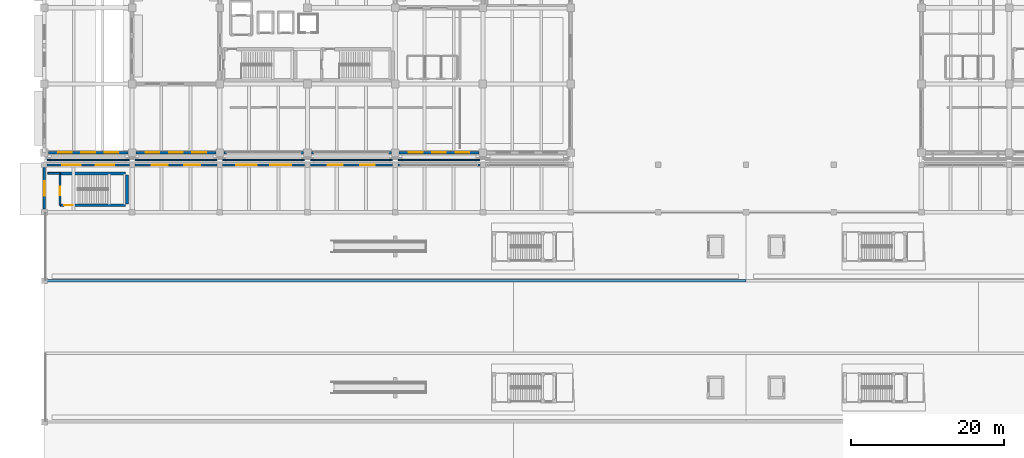
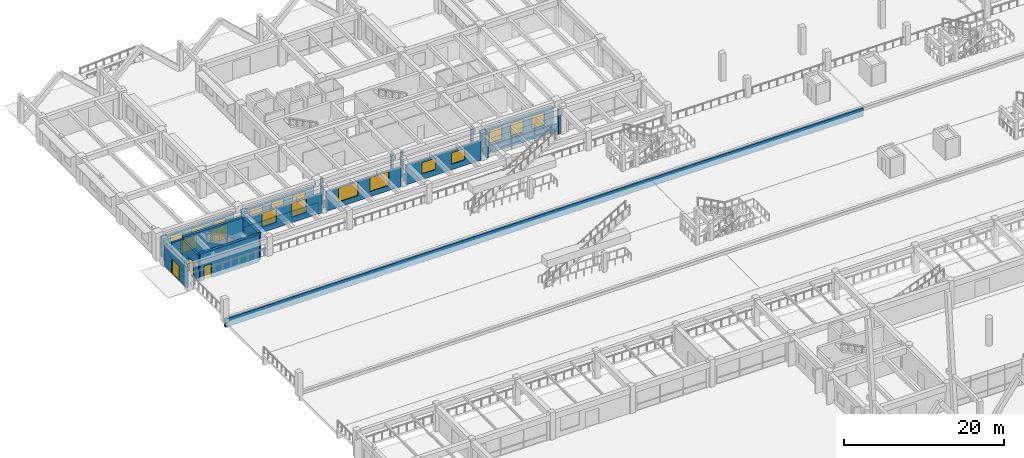
# One storey, part 81 of 109: 25 walls, 17 windows, 3 doors, 20 openings.
"""IFC4 building model written with IfcOpenShell, lengths in metres."""

from ifc_helpers import new_model, si_unit, direction, frame, frame_2d, origin, place, context, subcontext, project, spatial, rectangle, extrude, material, layer, layer_set, type_object, element, fill, save


model = new_model("IFC4")

# Units and contexts
model_context = context("Model", 3, precision=1e-05, world=origin(), true_north=direction((0.0, 1.0)))
body_context = subcontext(model_context, "Body", "Model", "MODEL_VIEW")
ifc_project = project(units=[si_unit("LENGTHUNIT", "METRE"), si_unit("AREAUNIT", "SQUARE_METRE"), si_unit("VOLUMEUNIT", "CUBIC_METRE"), si_unit("PLANEANGLEUNIT", "RADIAN"), si_unit("MASSUNIT", "GRAM", prefix="KILO")], contexts=[model_context])

# Site, building, storey
site_placement = place(None, origin())
site = spatial("IfcSite", under=ifc_project, at=site_placement, CompositionType="ELEMENT")
building_placement = place(site_placement, origin())
building = spatial("IfcBuilding", under=site, at=building_placement, Name="Ologun Quay Terminus", CompositionType="ELEMENT")
storey_placement = place(building_placement, origin())
storey = spatial("IfcBuildingStorey", under=building, at=storey_placement, Name="L00", CompositionType="ELEMENT", Elevation=0.0)

# Walls
ifc_material_1 = material(Name="Concrete C40/50", Category="concrete")
ifc_layer_1 = layer(ifc_material_1, 0.280029296875)
ifc_layer_set_1 = layer_set([ifc_layer_1], Name="Concrete C40/50")
wall_type_1 = type_object("IfcWallType", Name="Courtyard Wing Spandrel Concrete Wall 280", PredefinedType="SOLIDWALL", material=ifc_layer_set_1)
for number, where, z_axis, x_axis, name in (
    (1, (46.3701171875, 84.199951171875, 0.0), (0.0, 0.0, 1.0), (1.0, 0.0, 0.0), "Curtain Wall Jamb Pier CW-L00-084-J1"),
    (2, (56.780029296875, 84.199951171875, 0.0), (0.0, 0.0, 1.0), (1.0, 0.0, 0.0), "Curtain Wall Jamb Pier CW-L00-084-J2"),
):
    element("IfcWall", number, at=place(storey_placement, frame(where, z_axis=z_axis, x_axis=x_axis)), inside=storey, type_object=wall_type_1, Name=name, PredefinedType="SOLIDWALL", context=body_context, shape_type="SweptSolid", body=[
        extrude(rectangle(XDim=0.349853515625, YDim=0.280029296875, at=frame_2d((0.1748046875, 0.0))), origin(), (0.0, 0.0, 1.0), 3.85009765625),
    ])

# Wall, openings, windows
wall_1_placement = place(storey_placement, frame((0.3701171875, 84.199951171875, 0.0), z_axis=(0.0, 0.0, 1.0), x_axis=(1.0, 0.0, 0.0)))
wall_1 = element("IfcWall", 3, at=wall_1_placement, inside=storey, type_object=wall_type_1, Name="EW-02 Facade Wall WEW-NGW-L00-01", PredefinedType="SOLIDWALL", context=body_context, shape_type="SweptSolid", body=[
    extrude(rectangle(XDim=10.759765625, YDim=0.280029296875, at=frame_2d((5.3798828125, 0.0))), origin(), (0.0, 0.0, 1.0), 3.0),
])
opening_1_placement = place(wall_1_placement, frame((1.98681640625, 0.0, 0.840087890625)))
opening_1 = element("IfcOpeningElement", 4, at=opening_1_placement, cuts=wall_1, Name="Opening WN-108", PredefinedType="OPENING", context=body_context, shape_type="SweptSolid", body=[
    extrude(rectangle(XDim=2.39990234375, YDim=2.10009765625, at=frame_2d((1.199951171875, 1.050048828125))), frame((0.0, 0.14990234375, 0.0), z_axis=(0.0, -1.0, 0.0), x_axis=(1.0, 0.0, 0.0)), (0.0, 0.0, 1.0), 0.300048828125),
])
opening_2_placement = place(wall_1_placement, frame((6.373291015625, 0.0, 0.840087890625)))
opening_2 = element("IfcOpeningElement", 5, at=opening_2_placement, cuts=wall_1, Name="Opening WN-109", PredefinedType="OPENING", context=body_context, shape_type="SweptSolid", body=[
    extrude(rectangle(XDim=2.39990234375, YDim=2.10009765625, at=frame_2d((1.199951171875, 1.050048828125))), frame((0.0, 0.14990234375, 0.0), z_axis=(0.0, -1.0, 0.0), x_axis=(1.0, 0.0, 0.0)), (0.0, 0.0, 1.0), 0.300048828125),
])
ifc_material_2 = material(Name="Glass", Category="glass")
window_type_1 = type_object("IfcWindowType", Name="Retail Display Window 2400x2100", PartitioningType="SINGLE_PANEL", PredefinedType="WINDOW", material=ifc_material_2)
window_1_placement = place(opening_1_placement, origin())
window_1 = element("IfcWindow", 6, at=window_1_placement, inside=storey, type_object=window_type_1, Name="W-01 Window WN-108", OverallHeight=2.10009765625, OverallWidth=2.39990234375, PartitioningType="SINGLE_PANEL", PredefinedType="WINDOW", context=body_context, shape_type="SweptSolid", body=[
    extrude(rectangle(XDim=2.39990234375, YDim=2.10009765625, at=frame_2d((1.199951171875, 1.050048828125))), frame((0.0, 0.030029296875, 0.0), z_axis=(0.0, -1.0, 0.0), x_axis=(1.0, 0.0, 0.0)), (0.0, 0.0, 1.0), 0.06005859375),
])
fill(opening_1, window_1)
window_2_placement = place(opening_2_placement, origin())
window_2 = element("IfcWindow", 7, at=window_2_placement, inside=storey, type_object=window_type_1, Name="W-01 Window WN-109", OverallHeight=2.10009765625, OverallWidth=2.39990234375, PartitioningType="SINGLE_PANEL", PredefinedType="WINDOW", context=body_context, shape_type="SweptSolid", body=[
    extrude(rectangle(XDim=2.39990234375, YDim=2.10009765625, at=frame_2d((1.199951171875, 1.050048828125))), frame((0.0, 0.030029296875, 0.0), z_axis=(0.0, -1.0, 0.0), x_axis=(1.0, 0.0, 0.0)), (0.0, 0.0, 1.0), 0.06005859375),
])
fill(opening_2, window_2)

wall_2_placement = place(storey_placement, frame((11.8701171875, 84.199951171875, 0.0), z_axis=(0.0, 0.0, 1.0), x_axis=(1.0, 0.0, 0.0)))
wall_2 = element("IfcWall", 8, at=wall_2_placement, inside=storey, type_object=wall_type_1, Name="EW-02 Facade Wall WEW-NGW-L00-02", PredefinedType="SOLIDWALL", context=body_context, shape_type="SweptSolid", body=[
    extrude(rectangle(XDim=10.759765625, YDim=0.280029296875, at=frame_2d((5.3798828125, 0.0))), origin(), (0.0, 0.0, 1.0), 3.0),
])
opening_3_placement = place(wall_2_placement, frame((2.186767578125, 0.0, 0.840087890625)))
opening_3 = element("IfcOpeningElement", 9, at=opening_3_placement, cuts=wall_2, Name="Opening WN-110", PredefinedType="OPENING", context=body_context, shape_type="SweptSolid", body=[
    extrude(rectangle(XDim=2.10009765625, YDim=2.10009765625, at=frame_2d((1.050048828125, 1.050048828125))), frame((0.0, 0.14990234375, 0.0), z_axis=(0.0, -1.0, 0.0), x_axis=(1.0, 0.0, 0.0)), (0.0, 0.0, 1.0), 0.300048828125),
])
opening_4_placement = place(wall_2_placement, frame((6.473388671875, 0.0, 0.840087890625)))
opening_4 = element("IfcOpeningElement", 10, at=opening_4_placement, cuts=wall_2, Name="Opening WN-111", PredefinedType="OPENING", context=body_context, shape_type="SweptSolid", body=[
    extrude(rectangle(XDim=2.10009765625, YDim=2.10009765625, at=frame_2d((1.050048828125, 1.050048828125))), frame((0.0, 0.14990234375, 0.0), z_axis=(0.0, -1.0, 0.0), x_axis=(1.0, 0.0, 0.0)), (0.0, 0.0, 1.0), 0.300048828125),
])
ifc_material_3 = material(Name="Glass", Category="glass")
window_type_2 = type_object("IfcWindowType", Name="Retail Corner Window 2100x2100", PartitioningType="SINGLE_PANEL", PredefinedType="WINDOW", material=ifc_material_3)
window_3_placement = place(opening_3_placement, origin())
window_3 = element("IfcWindow", 11, at=window_3_placement, inside=storey, type_object=window_type_2, Name="W-02 Window WN-110", OverallHeight=2.10009765625, OverallWidth=2.10009765625, PartitioningType="SINGLE_PANEL", PredefinedType="WINDOW", context=body_context, shape_type="SweptSolid", body=[
    extrude(rectangle(XDim=2.10009765625, YDim=2.10009765625, at=frame_2d((1.050048828125, 1.050048828125))), frame((0.0, 0.030029296875, 0.0), z_axis=(0.0, -1.0, 0.0), x_axis=(1.0, 0.0, 0.0)), (0.0, 0.0, 1.0), 0.06005859375),
])
fill(opening_3, window_3)
window_4_placement = place(opening_4_placement, origin())
window_4 = element("IfcWindow", 12, at=window_4_placement, inside=storey, type_object=window_type_2, Name="W-02 Window WN-111", OverallHeight=2.10009765625, OverallWidth=2.10009765625, PartitioningType="SINGLE_PANEL", PredefinedType="WINDOW", context=body_context, shape_type="SweptSolid", body=[
    extrude(rectangle(XDim=2.10009765625, YDim=2.10009765625, at=frame_2d((1.050048828125, 1.050048828125))), frame((0.0, 0.030029296875, 0.0), z_axis=(0.0, -1.0, 0.0), x_axis=(1.0, 0.0, 0.0)), (0.0, 0.0, 1.0), 0.06005859375),
])
fill(opening_4, window_4)

wall_3_placement = place(storey_placement, frame((23.3701171875, 84.199951171875, 0.0), z_axis=(0.0, 0.0, 1.0), x_axis=(1.0, 0.0, 0.0)))
wall_3 = element("IfcWall", 13, at=wall_3_placement, inside=storey, type_object=wall_type_1, Name="EW-02 Facade Wall WEW-NGW-L00-03", PredefinedType="SOLIDWALL", context=body_context, shape_type="SweptSolid", body=[
    extrude(rectangle(XDim=10.759765625, YDim=0.280029296875, at=frame_2d((5.3798828125, 0.0))), origin(), (0.0, 0.0, 1.0), 3.0),
])
opening_5_placement = place(wall_3_placement, frame((1.75341796875, 0.0, 0.7900390625)))
opening_5 = element("IfcOpeningElement", 14, at=opening_5_placement, cuts=wall_3, Name="Opening WN-112", PredefinedType="OPENING", context=body_context, shape_type="SweptSolid", body=[
    extrude(rectangle(XDim=2.75, YDim=2.14990234375, at=frame_2d((1.375, 1.074951171875))), frame((0.0, 0.14990234375, 0.0), z_axis=(0.0, -1.0, 0.0), x_axis=(1.0, 0.0, 0.0)), (0.0, 0.0, 1.0), 0.300048828125),
])
opening_6_placement = place(wall_3_placement, frame((6.256591796875, 0.0, 0.7900390625)))
opening_6 = element("IfcOpeningElement", 15, at=opening_6_placement, cuts=wall_3, Name="Opening WN-113", PredefinedType="OPENING", context=body_context, shape_type="SweptSolid", body=[
    extrude(rectangle(XDim=2.75, YDim=2.14990234375, at=frame_2d((1.375, 1.074951171875))), frame((0.0, 0.14990234375, 0.0), z_axis=(0.0, -1.0, 0.0), x_axis=(1.0, 0.0, 0.0)), (0.0, 0.0, 1.0), 0.300048828125),
])
ifc_material_4 = material(Name="Glass", Category="glass")
window_type_3 = type_object("IfcWindowType", Name="Bookshop Showcase Window 2750x2150", PartitioningType="SINGLE_PANEL", PredefinedType="WINDOW", material=ifc_material_4)
window_5_placement = place(opening_5_placement, origin())
window_5 = element("IfcWindow", 16, at=window_5_placement, inside=storey, type_object=window_type_3, Name="W-33 Window WN-112", OverallHeight=2.14990234375, OverallWidth=2.75, PartitioningType="SINGLE_PANEL", PredefinedType="WINDOW", context=body_context, shape_type="SweptSolid", body=[
    extrude(rectangle(XDim=2.75, YDim=2.14990234375, at=frame_2d((1.375, 1.074951171875))), frame((0.0, 0.030029296875, 0.0), z_axis=(0.0, -1.0, 0.0), x_axis=(1.0, 0.0, 0.0)), (0.0, 0.0, 1.0), 0.06005859375),
])
fill(opening_5, window_5)
window_6_placement = place(opening_6_placement, origin())
window_6 = element("IfcWindow", 17, at=window_6_placement, inside=storey, type_object=window_type_3, Name="W-33 Window WN-113", OverallHeight=2.14990234375, OverallWidth=2.75, PartitioningType="SINGLE_PANEL", PredefinedType="WINDOW", context=body_context, shape_type="SweptSolid", body=[
    extrude(rectangle(XDim=2.75, YDim=2.14990234375, at=frame_2d((1.375, 1.074951171875))), frame((0.0, 0.030029296875, 0.0), z_axis=(0.0, -1.0, 0.0), x_axis=(1.0, 0.0, 0.0)), (0.0, 0.0, 1.0), 0.06005859375),
])
fill(opening_6, window_6)

wall_4_placement = place(storey_placement, frame((34.8701171875, 84.199951171875, 0.0), z_axis=(0.0, 0.0, 1.0), x_axis=(1.0, 0.0, 0.0)))
wall_4 = element("IfcWall", 18, at=wall_4_placement, inside=storey, type_object=wall_type_1, Name="EW-02 Facade Wall WEW-NGW-L00-04", PredefinedType="SOLIDWALL", context=body_context, shape_type="SweptSolid", body=[
    extrude(rectangle(XDim=10.759765625, YDim=0.280029296875, at=frame_2d((5.3798828125, 0.0))), origin(), (0.0, 0.0, 1.0), 3.0),
])
opening_7_placement = place(wall_4_placement, frame((2.28662109375, 0.0, 0.85009765625)))
opening_7 = element("IfcOpeningElement", 19, at=opening_7_placement, cuts=wall_4, Name="Opening WN-114", PredefinedType="OPENING", context=body_context, shape_type="SweptSolid", body=[
    extrude(rectangle(XDim=1.949951171875, YDim=1.75, at=frame_2d((0.97509765625, 0.875))), frame((0.0, 0.14990234375, 0.0), z_axis=(0.0, -1.0, 0.0), x_axis=(1.0, 0.0, 0.0)), (0.0, 0.0, 1.0), 0.300048828125),
])
opening_8_placement = place(wall_4_placement, frame((6.523193359375, 0.0, 0.85009765625)))
opening_8 = element("IfcOpeningElement", 20, at=opening_8_placement, cuts=wall_4, Name="Opening WN-115", PredefinedType="OPENING", context=body_context, shape_type="SweptSolid", body=[
    extrude(rectangle(XDim=1.949951171875, YDim=1.75, at=frame_2d((0.97509765625, 0.875))), frame((0.0, 0.14990234375, 0.0), z_axis=(0.0, -1.0, 0.0), x_axis=(1.0, 0.0, 0.0)), (0.0, 0.0, 1.0), 0.300048828125),
])
ifc_material_5 = material(Name="Glass", Category="glass")
window_type_4 = type_object("IfcWindowType", Name="Family Suite Daylight Window 1950x1750", PartitioningType="SINGLE_PANEL", PredefinedType="WINDOW", material=ifc_material_5)
window_7_placement = place(opening_7_placement, origin())
window_7 = element("IfcWindow", 21, at=window_7_placement, inside=storey, type_object=window_type_4, Name="W-35 Window WN-114", OverallHeight=1.75, OverallWidth=1.949951171875, PartitioningType="SINGLE_PANEL", PredefinedType="WINDOW", context=body_context, shape_type="SweptSolid", body=[
    extrude(rectangle(XDim=1.949951171875, YDim=1.75, at=frame_2d((0.97509765625, 0.875))), frame((0.0, 0.030029296875, 0.0), z_axis=(0.0, -1.0, 0.0), x_axis=(1.0, 0.0, 0.0)), (0.0, 0.0, 1.0), 0.06005859375),
])
fill(opening_7, window_7)
window_8_placement = place(opening_8_placement, origin())
window_8 = element("IfcWindow", 22, at=window_8_placement, inside=storey, type_object=window_type_4, Name="W-35 Window WN-115", OverallHeight=1.75, OverallWidth=1.949951171875, PartitioningType="SINGLE_PANEL", PredefinedType="WINDOW", context=body_context, shape_type="SweptSolid", body=[
    extrude(rectangle(XDim=1.949951171875, YDim=1.75, at=frame_2d((0.97509765625, 0.875))), frame((0.0, 0.030029296875, 0.0), z_axis=(0.0, -1.0, 0.0), x_axis=(1.0, 0.0, 0.0)), (0.0, 0.0, 1.0), 0.06005859375),
])
fill(opening_8, window_8)

wall_5_placement = place(storey_placement, frame((0.52001953125, 85.800048828125, 0.0), z_axis=(0.0, 0.0, 1.0), x_axis=(1.0, 0.0, 0.0)))
wall_5 = element("IfcWall", 23, at=wall_5_placement, inside=storey, type_object=wall_type_1, Name="EW-02 Facade Wall WEW-WW-O-L00-1", PredefinedType="SOLIDWALL", context=body_context, shape_type="SweptSolid", body=[
    extrude(rectangle(XDim=10.4599609375, YDim=0.280029296875, at=frame_2d((5.22998046875, 0.0))), origin(), (0.0, 0.0, 1.0), 3.14990234375),
])
opening_9_placement = place(wall_5_placement, frame((1.264892578125, 0.0, 0.85009765625)))
opening_9 = element("IfcOpeningElement", 24, at=opening_9_placement, cuts=wall_5, Name="Opening WN-154", PredefinedType="OPENING", context=body_context, shape_type="SweptSolid", body=[
    extrude(rectangle(XDim=1.800048828125, YDim=1.949951171875, at=frame_2d((0.89990234375, 0.97509765625))), frame((0.0, 0.14990234375, 0.0), z_axis=(0.0, -1.0, 0.0), x_axis=(1.0, 0.0, 0.0)), (0.0, 0.0, 1.0), 0.300048828125),
])
opening_10_placement = place(wall_5_placement, frame((4.330078125, 0.0, 0.85009765625)))
opening_10 = element("IfcOpeningElement", 25, at=opening_10_placement, cuts=wall_5, Name="Opening WN-155", PredefinedType="OPENING", context=body_context, shape_type="SweptSolid", body=[
    extrude(rectangle(XDim=1.800048828125, YDim=1.949951171875, at=frame_2d((0.89990234375, 0.97509765625))), frame((0.0, 0.14990234375, 0.0), z_axis=(0.0, -1.0, 0.0), x_axis=(1.0, 0.0, 0.0)), (0.0, 0.0, 1.0), 0.300048828125),
])
opening_11_placement = place(wall_5_placement, frame((7.39501953125, 0.0, 0.85009765625)))
opening_11 = element("IfcOpeningElement", 26, at=opening_11_placement, cuts=wall_5, Name="Opening WN-156", PredefinedType="OPENING", context=body_context, shape_type="SweptSolid", body=[
    extrude(rectangle(XDim=1.800048828125, YDim=1.949951171875, at=frame_2d((0.89990234375, 0.97509765625))), frame((0.0, 0.14990234375, 0.0), z_axis=(0.0, -1.0, 0.0), x_axis=(1.0, 0.0, 0.0)), (0.0, 0.0, 1.0), 0.300048828125),
])
ifc_material_6 = material(Name="Glass", Category="glass")
window_type_5 = type_object("IfcWindowType", Name="Waterfront Pavilion Module Window 1800x1950", PartitioningType="SINGLE_PANEL", PredefinedType="WINDOW", material=ifc_material_6)
window_9_placement = place(opening_9_placement, origin())
window_9 = element("IfcWindow", 27, at=window_9_placement, inside=storey, type_object=window_type_5, Name="W-11 Window WN-154", OverallHeight=1.949951171875, OverallWidth=1.800048828125, PartitioningType="SINGLE_PANEL", PredefinedType="WINDOW", context=body_context, shape_type="SweptSolid", body=[
    extrude(rectangle(XDim=1.800048828125, YDim=1.949951171875, at=frame_2d((0.89990234375, 0.97509765625))), frame((0.0, 0.030029296875, 0.0), z_axis=(0.0, -1.0, 0.0), x_axis=(1.0, 0.0, 0.0)), (0.0, 0.0, 1.0), 0.06005859375),
])
fill(opening_9, window_9)
window_10_placement = place(opening_10_placement, origin())
window_10 = element("IfcWindow", 28, at=window_10_placement, inside=storey, type_object=window_type_5, Name="W-11 Window WN-155", OverallHeight=1.949951171875, OverallWidth=1.800048828125, PartitioningType="SINGLE_PANEL", PredefinedType="WINDOW", context=body_context, shape_type="SweptSolid", body=[
    extrude(rectangle(XDim=1.800048828125, YDim=1.949951171875, at=frame_2d((0.89990234375, 0.97509765625))), frame((0.0, 0.030029296875, 0.0), z_axis=(0.0, -1.0, 0.0), x_axis=(1.0, 0.0, 0.0)), (0.0, 0.0, 1.0), 0.06005859375),
])
fill(opening_10, window_10)
window_11_placement = place(opening_11_placement, origin())
window_11 = element("IfcWindow", 29, at=window_11_placement, inside=storey, type_object=window_type_5, Name="W-11 Window WN-156", OverallHeight=1.949951171875, OverallWidth=1.800048828125, PartitioningType="SINGLE_PANEL", PredefinedType="WINDOW", context=body_context, shape_type="SweptSolid", body=[
    extrude(rectangle(XDim=1.800048828125, YDim=1.949951171875, at=frame_2d((0.89990234375, 0.97509765625))), frame((0.0, 0.030029296875, 0.0), z_axis=(0.0, -1.0, 0.0), x_axis=(1.0, 0.0, 0.0)), (0.0, 0.0, 1.0), 0.06005859375),
])
fill(opening_11, window_11)

wall_6_placement = place(storey_placement, frame((12.02001953125, 85.800048828125, 0.0), z_axis=(0.0, 0.0, 1.0), x_axis=(1.0, 0.0, 0.0)))
wall_6 = element("IfcWall", 30, at=wall_6_placement, inside=storey, type_object=wall_type_1, Name="EW-02 Facade Wall WEW-WW-O-L00-2", PredefinedType="SOLIDWALL", context=body_context, shape_type="SweptSolid", body=[
    extrude(rectangle(XDim=10.4599609375, YDim=0.280029296875, at=frame_2d((5.22998046875, 0.0))), origin(), (0.0, 0.0, 1.0), 3.14990234375),
])
opening_12_placement = place(wall_6_placement, frame((1.264892578125, 0.0, 0.85009765625)))
opening_12 = element("IfcOpeningElement", 31, at=opening_12_placement, cuts=wall_6, Name="Opening WN-157", PredefinedType="OPENING", context=body_context, shape_type="SweptSolid", body=[
    extrude(rectangle(XDim=1.800048828125, YDim=1.949951171875, at=frame_2d((0.89990234375, 0.97509765625))), frame((0.0, 0.14990234375, 0.0), z_axis=(0.0, -1.0, 0.0), x_axis=(1.0, 0.0, 0.0)), (0.0, 0.0, 1.0), 0.300048828125),
])
opening_13_placement = place(wall_6_placement, frame((4.330078125, 0.0, 0.85009765625)))
opening_13 = element("IfcOpeningElement", 32, at=opening_13_placement, cuts=wall_6, Name="Opening WN-158", PredefinedType="OPENING", context=body_context, shape_type="SweptSolid", body=[
    extrude(rectangle(XDim=1.800048828125, YDim=1.949951171875, at=frame_2d((0.89990234375, 0.97509765625))), frame((0.0, 0.14990234375, 0.0), z_axis=(0.0, -1.0, 0.0), x_axis=(1.0, 0.0, 0.0)), (0.0, 0.0, 1.0), 0.300048828125),
])
opening_14_placement = place(wall_6_placement, frame((7.39501953125, 0.0, 0.85009765625)))
opening_14 = element("IfcOpeningElement", 33, at=opening_14_placement, cuts=wall_6, Name="Opening WN-159", PredefinedType="OPENING", context=body_context, shape_type="SweptSolid", body=[
    extrude(rectangle(XDim=1.800048828125, YDim=1.949951171875, at=frame_2d((0.89990234375, 0.97509765625))), frame((0.0, 0.14990234375, 0.0), z_axis=(0.0, -1.0, 0.0), x_axis=(1.0, 0.0, 0.0)), (0.0, 0.0, 1.0), 0.300048828125),
])
window_12_placement = place(opening_12_placement, origin())
window_12 = element("IfcWindow", 34, at=window_12_placement, inside=storey, type_object=window_type_5, Name="W-11 Window WN-157", OverallHeight=1.949951171875, OverallWidth=1.800048828125, PartitioningType="SINGLE_PANEL", PredefinedType="WINDOW", context=body_context, shape_type="SweptSolid", body=[
    extrude(rectangle(XDim=1.800048828125, YDim=1.949951171875, at=frame_2d((0.89990234375, 0.97509765625))), frame((0.0, 0.030029296875, 0.0), z_axis=(0.0, -1.0, 0.0), x_axis=(1.0, 0.0, 0.0)), (0.0, 0.0, 1.0), 0.06005859375),
])
fill(opening_12, window_12)
window_13_placement = place(opening_13_placement, origin())
window_13 = element("IfcWindow", 35, at=window_13_placement, inside=storey, type_object=window_type_5, Name="W-11 Window WN-158", OverallHeight=1.949951171875, OverallWidth=1.800048828125, PartitioningType="SINGLE_PANEL", PredefinedType="WINDOW", context=body_context, shape_type="SweptSolid", body=[
    extrude(rectangle(XDim=1.800048828125, YDim=1.949951171875, at=frame_2d((0.89990234375, 0.97509765625))), frame((0.0, 0.030029296875, 0.0), z_axis=(0.0, -1.0, 0.0), x_axis=(1.0, 0.0, 0.0)), (0.0, 0.0, 1.0), 0.06005859375),
])
fill(opening_13, window_13)
window_14_placement = place(opening_14_placement, origin())
window_14 = element("IfcWindow", 36, at=window_14_placement, inside=storey, type_object=window_type_5, Name="W-11 Window WN-159", OverallHeight=1.949951171875, OverallWidth=1.800048828125, PartitioningType="SINGLE_PANEL", PredefinedType="WINDOW", context=body_context, shape_type="SweptSolid", body=[
    extrude(rectangle(XDim=1.800048828125, YDim=1.949951171875, at=frame_2d((0.89990234375, 0.97509765625))), frame((0.0, 0.030029296875, 0.0), z_axis=(0.0, -1.0, 0.0), x_axis=(1.0, 0.0, 0.0)), (0.0, 0.0, 1.0), 0.06005859375),
])
fill(opening_14, window_14)

# Walls
for number, where, z_axis, x_axis, name in (
    (37, (23.52001953125, 85.800048828125, 0.0), (0.0, 0.0, 1.0), (1.0, 0.0, 0.0), "Curtain Wall Jamb Pier CW-L00-092-J1"),
    (38, (33.6298828125, 85.800048828125, 0.0), (0.0, 0.0, 1.0), (1.0, 0.0, 0.0), "Curtain Wall Jamb Pier CW-L00-092-J2"),
    (39, (35.02001953125, 85.800048828125, 0.0), (0.0, 0.0, 1.0), (1.0, 0.0, 0.0), "Curtain Wall Jamb Pier CW-L00-093-J1"),
    (40, (45.1298828125, 85.800048828125, 0.0), (0.0, 0.0, 1.0), (1.0, 0.0, 0.0), "Curtain Wall Jamb Pier CW-L00-093-J2"),
):
    element("IfcWall", number, at=place(storey_placement, frame(where, z_axis=z_axis, x_axis=x_axis)), inside=storey, type_object=wall_type_1, Name=name, PredefinedType="SOLIDWALL", context=body_context, shape_type="SweptSolid", body=[
        extrude(rectangle(XDim=0.35009765625, YDim=0.280029296875, at=frame_2d((0.175048828125, 0.0))), origin(), (0.0, 0.0, 1.0), 3.929931640625),
    ])

# Wall, openings, windows
wall_7_placement = place(storey_placement, frame((46.52001953125, 85.800048828125, 0.0), z_axis=(0.0, 0.0, 1.0), x_axis=(1.0, 0.0, 0.0)))
wall_7 = element("IfcWall", 41, at=wall_7_placement, inside=storey, type_object=wall_type_1, Name="EW-02 Facade Wall WEW-WW-O-L00-5", PredefinedType="SOLIDWALL", context=body_context, shape_type="SweptSolid", body=[
    extrude(rectangle(XDim=10.4599609375, YDim=0.280029296875, at=frame_2d((5.22998046875, 0.0))), origin(), (0.0, 0.0, 1.0), 3.14990234375),
])
opening_15_placement = place(wall_7_placement, frame((1.264892578125, 0.0, 0.85009765625)))
opening_15 = element("IfcOpeningElement", 42, at=opening_15_placement, cuts=wall_7, Name="Opening WN-160", PredefinedType="OPENING", context=body_context, shape_type="SweptSolid", body=[
    extrude(rectangle(XDim=1.800048828125, YDim=1.949951171875, at=frame_2d((0.89990234375, 0.97509765625))), frame((0.0, 0.14990234375, 0.0), z_axis=(0.0, -1.0, 0.0), x_axis=(1.0, 0.0, 0.0)), (0.0, 0.0, 1.0), 0.300048828125),
])
opening_16_placement = place(wall_7_placement, frame((4.330078125, 0.0, 0.85009765625)))
opening_16 = element("IfcOpeningElement", 43, at=opening_16_placement, cuts=wall_7, Name="Opening WN-161", PredefinedType="OPENING", context=body_context, shape_type="SweptSolid", body=[
    extrude(rectangle(XDim=1.800048828125, YDim=1.949951171875, at=frame_2d((0.89990234375, 0.97509765625))), frame((0.0, 0.14990234375, 0.0), z_axis=(0.0, -1.0, 0.0), x_axis=(1.0, 0.0, 0.0)), (0.0, 0.0, 1.0), 0.300048828125),
])
opening_17_placement = place(wall_7_placement, frame((7.39501953125, 0.0, 0.85009765625)))
opening_17 = element("IfcOpeningElement", 44, at=opening_17_placement, cuts=wall_7, Name="Opening WN-162", PredefinedType="OPENING", context=body_context, shape_type="SweptSolid", body=[
    extrude(rectangle(XDim=1.800048828125, YDim=1.949951171875, at=frame_2d((0.89990234375, 0.97509765625))), frame((0.0, 0.14990234375, 0.0), z_axis=(0.0, -1.0, 0.0), x_axis=(1.0, 0.0, 0.0)), (0.0, 0.0, 1.0), 0.300048828125),
])
window_15_placement = place(opening_15_placement, origin())
window_15 = element("IfcWindow", 45, at=window_15_placement, inside=storey, type_object=window_type_5, Name="W-11 Window WN-160", OverallHeight=1.949951171875, OverallWidth=1.800048828125, PartitioningType="SINGLE_PANEL", PredefinedType="WINDOW", context=body_context, shape_type="SweptSolid", body=[
    extrude(rectangle(XDim=1.800048828125, YDim=1.949951171875, at=frame_2d((0.89990234375, 0.97509765625))), frame((0.0, 0.030029296875, 0.0), z_axis=(0.0, -1.0, 0.0), x_axis=(1.0, 0.0, 0.0)), (0.0, 0.0, 1.0), 0.06005859375),
])
fill(opening_15, window_15)
window_16_placement = place(opening_16_placement, origin())
window_16 = element("IfcWindow", 46, at=window_16_placement, inside=storey, type_object=window_type_5, Name="W-11 Window WN-161", OverallHeight=1.949951171875, OverallWidth=1.800048828125, PartitioningType="SINGLE_PANEL", PredefinedType="WINDOW", context=body_context, shape_type="SweptSolid", body=[
    extrude(rectangle(XDim=1.800048828125, YDim=1.949951171875, at=frame_2d((0.89990234375, 0.97509765625))), frame((0.0, 0.030029296875, 0.0), z_axis=(0.0, -1.0, 0.0), x_axis=(1.0, 0.0, 0.0)), (0.0, 0.0, 1.0), 0.06005859375),
])
fill(opening_16, window_16)
window_17_placement = place(opening_17_placement, origin())
window_17 = element("IfcWindow", 47, at=window_17_placement, inside=storey, type_object=window_type_5, Name="W-11 Window WN-162", OverallHeight=1.949951171875, OverallWidth=1.800048828125, PartitioningType="SINGLE_PANEL", PredefinedType="WINDOW", context=body_context, shape_type="SweptSolid", body=[
    extrude(rectangle(XDim=1.800048828125, YDim=1.949951171875, at=frame_2d((0.89990234375, 0.97509765625))), frame((0.0, 0.030029296875, 0.0), z_axis=(0.0, -1.0, 0.0), x_axis=(1.0, 0.0, 0.0)), (0.0, 0.0, 1.0), 0.06005859375),
])
fill(opening_17, window_17)

# Wall, opening, door
ifc_material_7 = material(Name="Concrete C40/50", Category="concrete")
ifc_layer_2 = layer(ifc_material_7, 0.239990234375)
ifc_layer_set_2 = layer_set([ifc_layer_2], Name="Concrete C40/50")
wall_type_2 = type_object("IfcWallType", Name="Fire Compartment Blockwork Wall 240", PredefinedType="SOLIDWALL", material=ifc_layer_set_2)
wall_8_placement = place(storey_placement, frame((2.050048828125, 78.919921875, 0.0), z_axis=(0.0, 0.0, 1.0), x_axis=(0.0, 1.0, 0.0)))
wall_8 = element("IfcWall", 48, at=wall_8_placement, inside=storey, type_object=wall_type_2, Name="PW-01 Partition ST-NG1-W", PredefinedType="SOLIDWALL", context=body_context, shape_type="SweptSolid", body=[
    extrude(rectangle(XDim=4.16015625, YDim=0.239990234375, at=frame_2d((2.080078125, 0.0))), origin(), (0.0, 0.0, 1.0), 3.8798828125),
])
opening_18_placement = place(wall_8_placement, frame((1.300048828125, 0.0, 0.0)))
opening_18 = element("IfcOpeningElement", 49, at=opening_18_placement, cuts=wall_8, Name="Opening ID-274", PredefinedType="OPENING", context=body_context, shape_type="SweptSolid", body=[
    extrude(rectangle(XDim=1.1298828125, YDim=2.14990234375, at=frame_2d((0.56494140625, 1.074951171875))), frame((0.0, 0.1298828125, 0.0), z_axis=(0.0, -1.0, 0.0), x_axis=(1.0, 0.0, 0.0)), (0.0, 0.0, 1.0), 0.260009765625),
])
ifc_material_8 = material(Name="Steel S355", Category="steel")
door_type_1 = type_object("IfcDoorType", Name="Stairwell Fire Escape Door 1130x2150", OperationType="SINGLE_SWING_LEFT", PredefinedType="DOOR", material=ifc_material_8)
door_1_placement = place(opening_18_placement, origin())
door_1 = element("IfcDoor", 50, at=door_1_placement, inside=storey, type_object=door_type_1, Name="FD-01 Door ID-274", OperationType="SINGLE_SWING_LEFT", OverallHeight=2.14990234375, OverallWidth=1.1298828125, PredefinedType="DOOR", context=body_context, shape_type="SweptSolid", body=[
    extrude(rectangle(XDim=1.1298828125, YDim=2.14990234375, at=frame_2d((0.56494140625, 1.074951171875))), frame((0.0, 0.02490234375, 0.0), z_axis=(0.0, -1.0, 0.0), x_axis=(1.0, 0.0, 0.0)), (0.0, 0.0, 1.0), 0.050048828125),
])
fill(opening_18, door_1)

# Walls
wall_9_placement = place(storey_placement, frame((0.449951171875, 83.090087890625, 0.0), z_axis=(0.0, 0.0, 1.0), x_axis=(1.0, 0.0, 0.0)))
element("IfcWall", 51, at=wall_9_placement, inside=storey, type_object=wall_type_2, Name="PW-01 Partition L00-EXPNG1-N", PredefinedType="SOLIDWALL", context=body_context, shape_type="SweptSolid", body=[
    extrude(rectangle(XDim=1.60009765625, YDim=0.239990234375, at=frame_2d((0.800048828125, 0.0))), origin(), (0.0, 0.0, 1.0), 3.8798828125),
])
ifc_material_9 = material(Name="Concrete C40/50", Category="concrete")
ifc_layer_3 = layer(ifc_material_9, 0.300048828125)
ifc_layer_set_3 = layer_set([ifc_layer_3], Name="Concrete C40/50")
wall_type_3 = type_object("IfcWallType", Name="Lift Shaft Structural Shear Wall 300", PredefinedType="SHEAR", material=ifc_layer_set_3)
wall_10_placement = place(storey_placement, frame((0.0, 69.0, -0.320068359375), z_axis=(0.0, 0.0, 1.0), x_axis=(1.0, 0.0, 0.0)))
element("IfcWall", 52, at=wall_10_placement, inside=storey, type_object=wall_type_3, Name="Platform Retaining Edge Wall Platform 2 Y69.0", PredefinedType="SHEAR", context=body_context, shape_type="SweptSolid", body=[
    extrude(rectangle(XDim=92.0, YDim=0.300048828125, at=frame_2d((46.0, 0.0))), origin(), (0.0, 0.0, 1.0), 1.27001953125),
])
ifc_material_10 = material(Name="Concrete C40/50", Category="concrete")
ifc_layer_4 = layer(ifc_material_10, 0.18994140625)
ifc_layer_set_4 = layer_set([ifc_layer_4], Name="Concrete C40/50")
wall_type_4 = type_object("IfcWallType", Name="Movement Joint Weathering Upstand 190", PredefinedType="PARAPET", material=ifc_layer_set_4)
for number, where, z_axis, x_axis, name in (
    (53, (0.39990234375, 84.860107421875, 0.0), (0.0, 0.0, 1.0), (1.0, 0.0, 0.0), "EW-07 Movement Joint Upstand L00-1"),
    (54, (11.89990234375, 84.860107421875, 0.0), (0.0, 0.0, 1.0), (1.0, 0.0, 0.0), "EW-07 Movement Joint Upstand L00-2"),
    (55, (23.39990234375, 84.860107421875, 0.0), (0.0, 0.0, 1.0), (1.0, 0.0, 0.0), "EW-07 Movement Joint Upstand L00-3"),
    (56, (34.89990234375, 84.860107421875, 0.0), (0.0, 0.0, 1.0), (1.0, 0.0, 0.0), "EW-07 Movement Joint Upstand L00-4"),
    (57, (46.39990234375, 84.860107421875, 0.0), (0.0, 0.0, 1.0), (1.0, 0.0, 0.0), "EW-07 Movement Joint Upstand L00-5"),
):
    element("IfcWall", number, at=place(storey_placement, frame(where, z_axis=z_axis, x_axis=x_axis)), inside=storey, type_object=wall_type_4, Name=name, PredefinedType="PARAPET", context=body_context, shape_type="SweptSolid", body=[
        extrude(rectangle(XDim=10.7001953125, YDim=0.18994140625, at=frame_2d((5.35009765625, 0.0))), origin(), (0.0, 0.0, 1.0), 1.14990234375),
    ])

# Wall, opening, door
ifc_material_11 = material(Name="Concrete C40/50", Category="concrete")
ifc_layer_5 = layer(ifc_material_11, 0.3798828125)
ifc_layer_set_5 = layer_set([ifc_layer_5], Name="Concrete C40/50")
wall_type_5 = type_object("IfcWallType", Name="Platform Spine Shear Wall 380", PredefinedType="SHEAR", material=ifc_layer_set_5)
wall_11_placement = place(storey_placement, frame((2.050048828125, 78.909912109375, 0.0), z_axis=(0.0, 0.0, 1.0), x_axis=(1.0, 0.0, 0.0)))
wall_11 = element("IfcWall", 58, at=wall_11_placement, inside=storey, type_object=wall_type_5, Name="Station Core 5 S Shear Wall L00", PredefinedType="SHEAR", context=body_context, shape_type="SweptSolid", body=[
    extrude(rectangle(XDim=8.599853515625, YDim=0.3798828125, at=frame_2d((4.2998046875, 0.0))), origin(), (0.0, 0.0, 1.0), 4.199951171875),
])
opening_19_placement = place(wall_11_placement, frame((0.550048828125, 0.0, 0.0)))
opening_19 = element("IfcOpeningElement", 59, at=opening_19_placement, cuts=wall_11, Name="Opening ID-275", PredefinedType="OPENING", context=body_context, shape_type="SweptSolid", body=[
    extrude(rectangle(XDim=1.1298828125, YDim=2.14990234375, at=frame_2d((0.56494140625, 1.074951171875))), frame((0.0, 0.199951171875, 0.0), z_axis=(0.0, -1.0, 0.0), x_axis=(1.0, 0.0, 0.0)), (0.0, 0.0, 1.0), 0.39990234375),
])
door_2_placement = place(opening_19_placement, frame((0.56494140625, 0.0, 0.0), z_axis=(0.0, 0.0, 1.0), x_axis=(-1.0, 0.0, 0.0)))
door_2 = element("IfcDoor", 60, at=door_2_placement, inside=storey, type_object=door_type_1, Name="FD-01 Door ID-275", OperationType="SINGLE_SWING_LEFT", OverallHeight=2.14990234375, OverallWidth=1.1298828125, PredefinedType="DOOR", context=body_context, shape_type="SweptSolid", body=[
    extrude(rectangle(XDim=1.1298828125, YDim=2.14990234375, at=frame_2d((0.0, 1.074951171875))), frame((0.0, 0.02490234375, 0.0), z_axis=(0.0, -1.0, 0.0), x_axis=(1.0, 0.0, 0.0)), (0.0, 0.0, 1.0), 0.050048828125),
])
fill(opening_19, door_2)

# Walls
wall_12_placement = place(storey_placement, frame((2.050048828125, 83.090087890625, 0.0), z_axis=(0.0, 0.0, 1.0), x_axis=(1.0, 0.0, 0.0)))
element("IfcWall", 61, at=wall_12_placement, inside=storey, type_object=wall_type_5, Name="Station Core 5 N Shear Wall L00", PredefinedType="SHEAR", context=body_context, shape_type="SweptSolid", body=[
    extrude(rectangle(XDim=8.599853515625, YDim=0.3798828125, at=frame_2d((4.2998046875, 0.0))), origin(), (0.0, 0.0, 1.0), 4.199951171875),
])
wall_13_placement = place(storey_placement, frame((10.840087890625, 79.10009765625, 0.0), z_axis=(0.0, 0.0, 1.0), x_axis=(0.0, 1.0, 0.0)))
element("IfcWall", 62, at=wall_13_placement, inside=storey, type_object=wall_type_5, Name="Station Core 5 E Shear Wall L00", PredefinedType="SHEAR", context=body_context, shape_type="SweptSolid", body=[
    extrude(rectangle(XDim=3.7998046875, YDim=0.3798828125, at=frame_2d((1.89990234375, 0.0))), origin(), (0.0, 0.0, 1.0), 4.199951171875),
])

# Wall, opening, door
ifc_material_12 = material(Name="Concrete C40/50", Category="concrete")
ifc_layer_6 = layer(ifc_material_12, 0.320068359375)
ifc_layer_set_6 = layer_set([ifc_layer_6], Name="Concrete C40/50")
wall_type_6 = type_object("IfcWallType", Name="Podium Sculpted Concrete Facade Wall 320", PredefinedType="SOLIDWALL", material=ifc_layer_set_6)
wall_14_placement = place(storey_placement, frame((0.0, 78.39501953125, 0.0), z_axis=(0.0, 0.0, 1.0), x_axis=(0.0, 1.0, 0.0)))
wall_14 = element("IfcWall", 63, at=wall_14_placement, inside=storey, type_object=wall_type_6, Name="EW-01 Facade Wall WEW-NGAL-L00-W", PredefinedType="SOLIDWALL", context=body_context, shape_type="SweptSolid", body=[
    extrude(rectangle(XDim=5.43505859375, YDim=0.320068359375, at=frame_2d((2.717529296875, 0.0))), origin(), (0.0, 0.0, 1.0), 3.199951171875),
])
opening_20_placement = place(wall_14_placement, frame((1.767578125, 0.0, 0.0)))
opening_20 = element("IfcOpeningElement", 64, at=opening_20_placement, cuts=wall_14, Name="Opening ED-010", PredefinedType="OPENING", context=body_context, shape_type="SweptSolid", body=[
    extrude(rectangle(XDim=1.89990234375, YDim=2.199951171875, at=frame_2d((0.949951171875, 1.10009765625))), frame((0.0, 0.169921875, 0.0), z_axis=(0.0, -1.0, 0.0), x_axis=(1.0, 0.0, 0.0)), (0.0, 0.0, 1.0), 0.340087890625),
])
ifc_material_13 = material(Name="Steel S355", Category="steel")
door_type_2 = type_object("IfcDoorType", Name="Station Perimeter Final Exit Pair 1900x2200", OperationType="DOUBLE_DOOR_SINGLE_SWING", PredefinedType="DOOR", material=ifc_material_13)
door_3_placement = place(opening_20_placement, origin())
door_3 = element("IfcDoor", 65, at=door_3_placement, inside=storey, type_object=door_type_2, Name="D-04 Exterior Door ED-010", OperationType="DOUBLE_DOOR_SINGLE_SWING", OverallHeight=2.199951171875, OverallWidth=1.89990234375, PredefinedType="DOOR", context=body_context, shape_type="SweptSolid", body=[
    extrude(rectangle(XDim=1.89990234375, YDim=2.199951171875, at=frame_2d((0.949951171875, 1.10009765625))), frame((0.0, 0.02490234375, 0.0), z_axis=(0.0, -1.0, 0.0), x_axis=(1.0, 0.0, 0.0)), (0.0, 0.0, 1.0), 0.050048828125),
])
fill(opening_20, door_3)

save(model, "model.ifc")
